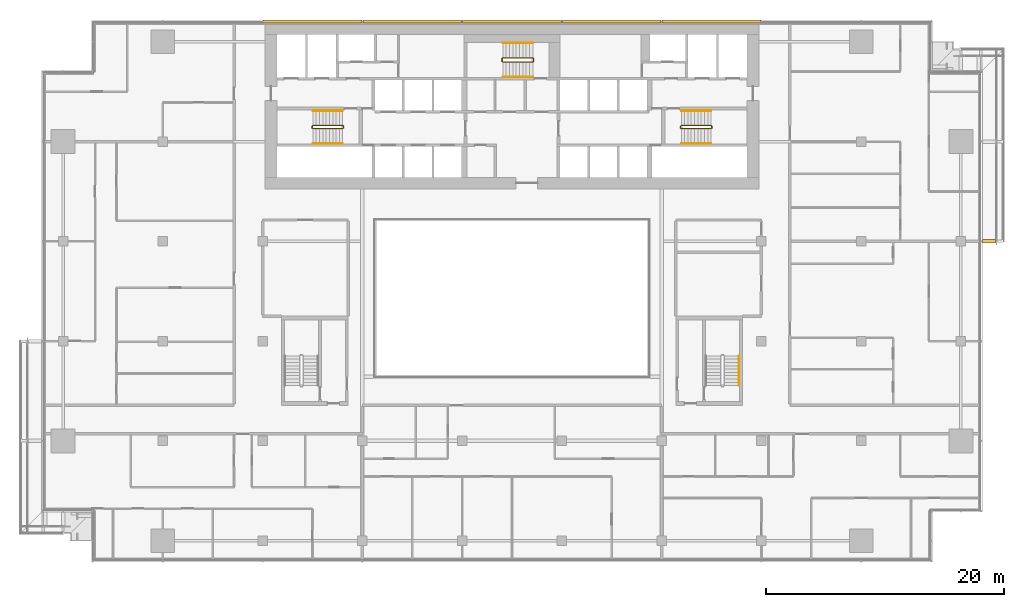
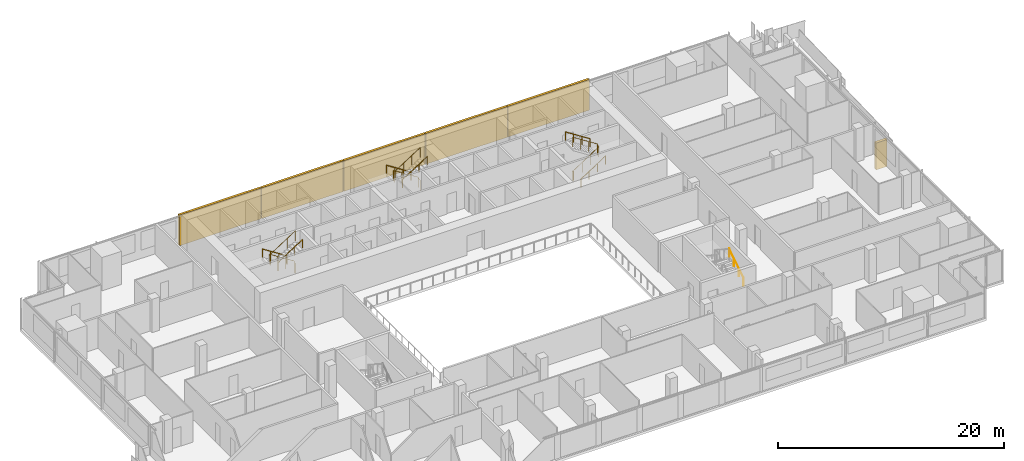
# One storey, part 24 of 27: 10 railings, 6 coverings.
"""IFC4 building model written with IfcOpenShell, lengths in metres."""

import ifcopenshell
import ifcopenshell.guid

model = None  # the IFC model being written
_history = None  # IfcOwnerHistory: only IFC2X3 demands one
_inside = {}  # id of a spatial element -> (the spatial element, [elements in it])
_under = {}  # id of a project, library or spatial element -> (it, [spatial elements below it])
_declared = {}  # id of a project -> (the project, [libraries it declares])
_typed = {}  # id of a type object -> (the type object, [elements of that type])
_made_of = {}  # id of a material, layer set ... -> (it, [elements and type objects made of it])


def new_model(schema):
    """Start an empty IFC model of exactly this schema.

    Asked for "IFC4X3", IfcOpenShell would pick the latest addendum, in which some entities
    have other attributes; the version numbers below select the first issue.
    IFC2X3 requires an IfcOwnerHistory on every rooted entity: one is made here for all.
    """
    global model, _history
    if schema == "IFC4X3":
        model = ifcopenshell.file(schema_version=(4, 3, 0, 0))
    else:
        model = ifcopenshell.file(schema=schema)
    _inside.clear()
    _under.clear()
    _declared.clear()
    _typed.clear()
    _made_of.clear()
    _history = None
    if model.schema == "IFC2X3":
        org = make("IfcOrganization", Name="unknown")
        user = make(
            "IfcPersonAndOrganization",
            ThePerson=make("IfcPerson", FamilyName="unknown"),
            TheOrganization=org,
        )
        app = make(
            "IfcApplication",
            ApplicationDeveloper=org,
            Version="unknown",
            ApplicationFullName="unknown",
            ApplicationIdentifier="unknown",
        )
        _history = make(
            "IfcOwnerHistory",
            OwningUser=user,
            OwningApplication=app,
            ChangeAction="ADDED",
            CreationDate=0,
        )
    return model


def make(cls, **values):
    """One entity of the class cls with the attributes given. An attribute that is None is left unset."""
    return model.create_entity(
        cls, **{name: value for name, value in values.items() if value is not None}
    )


def rooted(cls, **values):
    """An entity with a GlobalId (a new one), such as an element, a storey or a relation."""
    return make(cls, GlobalId=ifcopenshell.guid.new(), OwnerHistory=_history, **values)


def si_unit(unit_type, name, prefix=None):
    """IfcSIUnit, for example si_unit("LENGTHUNIT", "METRE", prefix="MILLI")."""
    return make("IfcSIUnit", UnitType=unit_type, Prefix=prefix, Name=name)


def assignment(units):
    """IfcUnitAssignment: the units of a project."""
    return None if units is None else make("IfcUnitAssignment", Units=units)


def point(xyz):
    """IfcCartesianPoint."""
    return None if xyz is None else make("IfcCartesianPoint", Coordinates=xyz)


def direction(xyz):
    """IfcDirection."""
    return None if xyz is None else make("IfcDirection", DirectionRatios=xyz)


def frame(location, z_axis=None, x_axis=None):
    """IfcAxis2Placement3D, a coordinate frame: its origin and axes. An axis left out is left unset."""
    return make(
        "IfcAxis2Placement3D",
        Location=point(location),
        Axis=direction(z_axis),
        RefDirection=direction(x_axis),
    )


def frame_2d(location, x_axis=None):
    """IfcAxis2Placement2D, a coordinate frame in the plane: its origin and x axis."""
    return make(
        "IfcAxis2Placement2D", Location=point(location), RefDirection=direction(x_axis)
    )


def origin():
    """The frame at (0, 0, 0) with its axes left unset."""
    return frame((0.0, 0.0, 0.0))


def origin_2d():
    """The frame at (0, 0) in the plane with its x axis left unset."""
    return frame_2d((0.0, 0.0))


def place(relative_to, where):
    """IfcLocalPlacement: puts the frame where relative to a parent placement (None: the world)."""
    return make(
        "IfcLocalPlacement", PlacementRelTo=relative_to, RelativePlacement=where
    )


def context(
    kind, dimensions, precision=None, world=None, true_north=None, identifier=None
):
    """IfcGeometricRepresentationContext, for example the 3D "Model" context."""
    return make(
        "IfcGeometricRepresentationContext",
        ContextIdentifier=identifier,
        ContextType=kind,
        CoordinateSpaceDimension=dimensions,
        Precision=precision,
        WorldCoordinateSystem=world,
        TrueNorth=true_north,
    )


def subcontext(parent, identifier, kind, view, scale=None):
    """IfcGeometricRepresentationSubContext, for example "Body" below "Model"."""
    return make(
        "IfcGeometricRepresentationSubContext",
        ContextIdentifier=identifier,
        ContextType=kind,
        ParentContext=parent,
        TargetScale=scale,
        TargetView=view,
    )


def project(units=None, contexts=None):
    """IfcProject with its units and contexts."""
    return rooted(
        "IfcProject",
        Name="project",
        RepresentationContexts=contexts,
        UnitsInContext=assignment(units),
    )


def spatial(cls, under=None, at=None, **own):
    """A site, building, storey or space (cls), placed at a placement, below another one or the project."""
    s = rooted(cls, ObjectPlacement=at, **own)
    if under is not None:
        _under.setdefault(under.id(), (under, []))[1].append(s)
    return s


def polyline(points):
    """IfcPolyline through the points."""
    return make("IfcPolyline", Points=[point(p) for p in points])


def profile(cls, at=None, kind="AREA", **sizes):
    """A parametric profile (cls). Its sizes go by their IFC names, for example OverallWidth=200.0."""
    return make(cls, ProfileType=kind, Position=at, **sizes)


def rectangle(**sizes):
    """IfcRectangleProfileDef."""
    return profile("IfcRectangleProfileDef", **sizes)


def circle(**sizes):
    """IfcCircleProfileDef."""
    return profile("IfcCircleProfileDef", **sizes)


def outline(outer, holes=None, kind="AREA"):
    """IfcArbitraryClosedProfileDef: a profile drawn as a closed curve; with holes, ...WithVoids."""
    if holes is None:
        return make("IfcArbitraryClosedProfileDef", ProfileType=kind, OuterCurve=outer)
    return make(
        "IfcArbitraryProfileDefWithVoids",
        ProfileType=kind,
        OuterCurve=outer,
        InnerCurves=holes,
    )


def extrude(swept, where, along, depth):
    """IfcExtrudedAreaSolid: the profile swept, set in the frame where, extruded along a direction by depth."""
    return make(
        "IfcExtrudedAreaSolid",
        SweptArea=swept,
        Position=where,
        ExtrudedDirection=direction(along),
        Depth=depth,
    )


def shape(context_of_items, identifier, shape_type, items):
    """IfcShapeRepresentation: the items that make up one representation, for example the "Body"."""
    return make(
        "IfcShapeRepresentation",
        ContextOfItems=context_of_items,
        RepresentationIdentifier=identifier,
        RepresentationType=shape_type,
        Items=items,
    )


def material(Name=None, Category=None):
    """IfcMaterial."""
    return make("IfcMaterial", Name=Name, Category=Category)


def layer(
    of_material, thickness, ventilated=None, Name=None, Category=None, Priority=None
):
    """IfcMaterialLayer: one layer of a wall or slab, of a material (None: an air gap)."""
    return make(
        "IfcMaterialLayer",
        Material=of_material,
        LayerThickness=thickness,
        IsVentilated=ventilated,
        Name=Name,
        Category=Category,
        Priority=Priority,
    )


def layer_set(layers, Name=None):
    """IfcMaterialLayerSet."""
    return make("IfcMaterialLayerSet", MaterialLayers=layers, LayerSetName=Name)


def made_of(thing, what):
    """Note that an element or type object is made of a material, layer set ...; save() writes the relation."""
    if what is not None:
        _made_of.setdefault(what.id(), (what, []))[1].append(thing)
    return thing


def type_object(cls, material=None, **own):
    """A type object (cls), such as IfcWallType, which elements share."""
    return made_of(rooted(cls, **own), material)


def element(
    cls,
    number,
    at=None,
    inside=None,
    cuts=None,
    type_object=None,
    material=None,
    context=None,
    identifier="Body",
    shape_type=None,
    held_by="IfcProductDefinitionShape",
    body=None,
    shapes=None,
    **own,
):
    """One element of the class cls, such as IfcWall. Its Tag is "e" and its number.

    at: its placement. inside: the storey or other place that contains it. cuts: it is an
    opening in that element (IfcRelVoidsElement). A single representation is given by context,
    identifier, shape_type and body (its items); several are given by shapes. held_by: the class
    of the entity that holds the representations. save() writes the other relations.
    """
    e = rooted(cls, Tag="e%d" % number, ObjectPlacement=at, **own)
    if body is not None:
        shapes = [shape(context, identifier, shape_type, body)]
    if shapes is not None:
        e.Representation = make(held_by, Representations=shapes)
    if inside is not None:
        _inside.setdefault(inside.id(), (inside, []))[1].append(e)
    if cuts is not None:
        rooted(
            "IfcRelVoidsElement", RelatingBuildingElement=cuts, RelatedOpeningElement=e
        )
    if type_object is not None:
        _typed.setdefault(type_object.id(), (type_object, []))[1].append(e)
    return made_of(e, material)


def aggregate(whole, parts):
    """IfcRelAggregates: a whole, such as a stair, and the parts it consists of."""
    return rooted("IfcRelAggregates", RelatingObject=whole, RelatedObjects=parts)


def save(model, path):
    """Write the relations noted so far, then the file.

    IfcRelAggregates (storeys below a building ...), IfcRelContainedInSpatialStructure (elements
    in a storey), IfcRelDefinesByType, IfcRelAssociatesMaterial and IfcRelDeclares: one each for
    every whole, place, type object, material and project.
    """
    for whole, parts in _under.values():
        aggregate(whole, parts)
    for where, things in _inside.values():
        rooted(
            "IfcRelContainedInSpatialStructure",
            RelatedElements=things,
            RelatingStructure=where,
        )
    for kind, things in _typed.values():
        rooted("IfcRelDefinesByType", RelatedObjects=things, RelatingType=kind)
    for what, things in _made_of.values():
        rooted("IfcRelAssociatesMaterial", RelatedObjects=things, RelatingMaterial=what)
    for by, libraries in _declared.values():
        rooted("IfcRelDeclares", RelatingContext=by, RelatedDefinitions=libraries)
    model.write(path)


model = new_model("IFC4")

# Units and contexts
model_context = context("Model", 3, precision=1e-05, world=origin(), true_north=direction((0.0, 1.0)))
body_context = subcontext(model_context, "Body", "Model", "MODEL_VIEW")
ifc_project = project(units=[si_unit("LENGTHUNIT", "METRE"), si_unit("AREAUNIT", "SQUARE_METRE"), si_unit("VOLUMEUNIT", "CUBIC_METRE"), si_unit("PLANEANGLEUNIT", "RADIAN"), si_unit("MASSUNIT", "GRAM", prefix="KILO")], contexts=[model_context])

# Site, building, storey
site_placement = place(None, origin())
site = spatial("IfcSite", under=ifc_project, at=site_placement, CompositionType="ELEMENT")
building_placement = place(site_placement, origin())
building = spatial("IfcBuilding", under=site, at=building_placement, Name="Saffron Gate Tower", CompositionType="ELEMENT")
storey_placement = place(building_placement, frame((0.0, 0.0, 134.85009765625)))
storey = spatial("IfcBuildingStorey", under=building, at=storey_placement, Name="L32", CompositionType="ELEMENT", Elevation=134.85009765625)

# Coverings
ifc_material_1 = material(Name="Ceramic-printed bronze insulated panel")
ifc_layer_1 = layer(ifc_material_1, 0.239990234375)
ifc_layer_set_1 = layer_set([ifc_layer_1], Name="CLD2 ceramic-printed cladding panel 240")
covering_type_1 = type_object("IfcCoveringType", Name="CLD2 ceramic-printed cladding panel 240", PredefinedType="CLADDING", material=ifc_layer_set_1)
covering_1_placement = place(storey_placement, origin())
element("IfcCovering", 1, at=covering_1_placement, inside=storey, type_object=covering_type_1, Name="CLADDING ceramic-printed panel", PredefinedType="CLADDING", context=body_context, shape_type="SweptSolid", body=[
    extrude(outline(polyline([(108.56494140625, 75.639892578125), (100.235107421875, 75.639892578125), (100.235107421875, 75.39990234375), (108.56494140625, 75.39990234375), (108.56494140625, 75.639892578125)])), origin(), (0.0, 0.0, 1.0), 3.31982421875),
])
covering_2_placement = place(storey_placement, origin())
element("IfcCovering", 2, at=covering_2_placement, inside=storey, type_object=covering_type_1, Name="CLADDING ceramic-printed panel", PredefinedType="CLADDING", context=body_context, shape_type="SweptSolid", body=[
    extrude(outline(polyline([(100.1650390625, 75.639892578125), (91.8349609375, 75.639892578125), (91.8349609375, 75.39990234375), (100.1650390625, 75.39990234375), (100.1650390625, 75.639892578125)])), origin(), (0.0, 0.0, 1.0), 3.31982421875),
])
covering_3_placement = place(storey_placement, origin())
element("IfcCovering", 3, at=covering_3_placement, inside=storey, type_object=covering_type_1, Name="CLADDING ceramic-printed panel", PredefinedType="CLADDING", context=body_context, shape_type="SweptSolid", body=[
    extrude(outline(polyline([(91.764892578125, 75.639892578125), (83.43505859375, 75.639892578125), (83.43505859375, 75.39990234375), (91.764892578125, 75.39990234375), (91.764892578125, 75.639892578125)])), origin(), (0.0, 0.0, 1.0), 3.31982421875),
])
covering_4_placement = place(storey_placement, origin())
element("IfcCovering", 4, at=covering_4_placement, inside=storey, type_object=covering_type_1, Name="CLADDING ceramic-printed panel", PredefinedType="CLADDING", context=body_context, shape_type="SweptSolid", body=[
    extrude(outline(polyline([(83.364990234375, 75.639892578125), (75.034912109375, 75.639892578125), (75.034912109375, 75.39990234375), (83.364990234375, 75.39990234375), (83.364990234375, 75.639892578125)])), origin(), (0.0, 0.0, 1.0), 3.31982421875),
])
covering_5_placement = place(storey_placement, origin())
element("IfcCovering", 5, at=covering_5_placement, inside=storey, type_object=covering_type_1, Name="CLADDING ceramic-printed panel", PredefinedType="CLADDING", context=body_context, shape_type="SweptSolid", body=[
    extrude(outline(polyline([(74.965087890625, 75.639892578125), (66.635009765625, 75.639892578125), (66.635009765625, 75.39990234375), (74.965087890625, 75.39990234375), (74.965087890625, 75.639892578125)])), origin(), (0.0, 0.0, 1.0), 3.31982421875),
])

# Railings
ifc_material_2 = material(Name="Stainless steel and laminated glass", Category="steel")
railing_type_1 = type_object("IfcRailingType", Name="CR1 Stair guard 1100", PredefinedType="GUARDRAIL", material=ifc_material_2)
railing_1_placement = place(storey_placement, frame((73.39990234375, 66.550048828125, 0.0)))
element("IfcRailing", 6, at=railing_1_placement, inside=storey, type_object=railing_type_1, Name="L32 ST-A stair guard 1", PredefinedType="GUARDRAIL", context=body_context, shape_type="SweptSolid", body=[
    extrude(circle(Radius=0.02392578125, at=origin_2d()), frame((0.0, 0.0, 1.076171875), z_axis=(0.0, 1.0, 0.0), x_axis=(-1.0, 0.0, 0.0)), (0.0, 0.0, 1.0), 0.14990234375),
    extrude(circle(Radius=0.02392578125, at=origin_2d()), frame((0.0, 0.14990234375, 1.076171875), z_axis=(-0.257669022063, 0.258932105505, 0.930892496375), x_axis=(-0.708833529934, -0.705375805398, 0.0)), (0.0, 0.0, 1.0), 0.193359375),
    extrude(circle(Radius=0.02392578125, at=origin_2d()), frame((-0.0498046875, 0.199951171875, 1.255859375), z_axis=(-0.841199657755, 0.0, 0.540724639528), x_axis=(0.0, -1.0, 0.0)), (0.0, 0.0, 1.0), 2.995849609375),
    extrude(circle(Radius=0.02392578125, at=origin_2d()), frame((-2.56982421875, 0.199951171875, 2.8759765625), z_axis=(-0.707106781187, -0.707106781187, 0.0), x_axis=(0.707106781187, -0.707106781187, 0.0)), (0.0, 0.0, 1.0), 0.07080078125),
    extrude(circle(Radius=0.02392578125, at=origin_2d()), frame((-2.619873046875, 0.14990234375, 2.8759765625), z_axis=(0.0, -1.0, 0.0), x_axis=(1.0, 0.0, 0.0)), (0.0, 0.0, 1.0), 0.14990234375),
    extrude(circle(Radius=0.02392578125, at=origin_2d()), frame((-2.619873046875, 0.0, 2.8759765625), z_axis=(0.258543844998, -0.258543844998, 0.930757841991), x_axis=(0.707106781187, 0.707106781187, 0.0)), (0.0, 0.0, 1.0), 0.193603515625),
    extrude(circle(Radius=0.02392578125, at=origin_2d()), frame((-2.56982421875, -0.050048828125, 3.05615234375), z_axis=(0.841199657755, 0.0, 0.540724639528), x_axis=(0.0, 1.0, 0.0)), (0.0, 0.0, 1.0), 2.995849609375),
    extrude(circle(Radius=0.02099609375, at=origin_2d()), origin(), (0.0, 0.0, 1.0), 1.052001953125),
    extrude(circle(Radius=0.02099609375, at=origin_2d()), frame((0.0, 0.14990234375, 0.0)), (0.0, 0.0, 1.0), 1.052001953125),
    extrude(circle(Radius=0.02099609375, at=origin_2d()), frame((-0.0498046875, 0.199951171875, 0.179931640625)), (0.0, 0.0, 1.0), 1.052001953125),
    extrude(circle(Radius=0.02099609375, at=origin_2d()), frame((-0.889892578125, 0.199951171875, 0.719970703125)), (0.0, 0.0, 1.0), 1.052001953125),
    extrude(circle(Radius=0.02099609375, at=origin_2d()), frame((-1.729736328125, 0.199951171875, 1.259765625)), (0.0, 0.0, 1.0), 1.052001953125),
    extrude(circle(Radius=0.02099609375, at=origin_2d()), frame((-2.56982421875, 0.199951171875, 1.7998046875)), (0.0, 0.0, 1.0), 1.052001953125),
    extrude(circle(Radius=0.02099609375, at=origin_2d()), frame((-2.619873046875, 0.14990234375, 1.7998046875)), (0.0, 0.0, 1.0), 1.052001953125),
    extrude(circle(Radius=0.02099609375, at=origin_2d()), frame((-2.619873046875, 0.0, 1.7998046875)), (0.0, 0.0, 1.0), 1.052001953125),
    extrude(circle(Radius=0.02099609375, at=origin_2d()), frame((-2.56982421875, -0.050048828125, 1.97998046875)), (0.0, 0.0, 1.0), 1.052001953125),
    extrude(circle(Radius=0.02099609375, at=origin_2d()), frame((-1.729736328125, -0.050048828125, 2.52001953125)), (0.0, 0.0, 1.0), 1.052001953125),
    extrude(circle(Radius=0.02099609375, at=origin_2d()), frame((-0.889892578125, -0.050048828125, 3.059814453125)), (0.0, 0.0, 1.0), 1.052001953125),
    extrude(circle(Radius=0.02099609375, at=origin_2d()), frame((-0.0498046875, -0.050048828125, 3.599853515625)), (0.0, 0.0, 1.0), 1.052001953125),
])
railing_2_placement = place(storey_placement, frame((101.800048828125, 66.699951171875, 0.0)))
element("IfcRailing", 7, at=railing_2_placement, inside=storey, type_object=railing_type_1, Name="L32 ST-B stair guard 1", PredefinedType="GUARDRAIL", context=body_context, shape_type="SweptSolid", body=[
    extrude(circle(Radius=0.02392578125, at=origin_2d()), frame((0.0, 0.0, 1.076171875), z_axis=(0.0, -1.0, 0.0), x_axis=(1.0, 0.0, 0.0)), (0.0, 0.0, 1.0), 0.14990234375),
    extrude(circle(Radius=0.02392578125, at=origin_2d()), frame((0.0, -0.14990234375, 1.076171875), z_axis=(0.258847668887, -0.258847668887, 0.930588936439), x_axis=(0.707106781187, 0.707106781187, 0.0)), (0.0, 0.0, 1.0), 0.193359375),
    extrude(circle(Radius=0.02392578125, at=origin_2d()), frame((0.050048828125, -0.199951171875, 1.255859375), z_axis=(0.841199657755, 0.0, 0.540724639528), x_axis=(0.0, 1.0, 0.0)), (0.0, 0.0, 1.0), 2.995849609375),
    extrude(circle(Radius=0.02392578125, at=origin_2d()), frame((2.570068359375, -0.199951171875, 2.8759765625), z_axis=(0.705375805398, 0.708833529934, 0.0), x_axis=(-0.708833529934, 0.705375805398, 0.0)), (0.0, 0.0, 1.0), 0.070556640625),
    extrude(circle(Radius=0.02392578125, at=origin_2d()), frame((2.619873046875, -0.14990234375, 2.8759765625), z_axis=(0.0, 1.0, 0.0), x_axis=(-1.0, 0.0, 0.0)), (0.0, 0.0, 1.0), 0.14990234375),
    extrude(circle(Radius=0.02392578125, at=origin_2d()), frame((2.619873046875, 0.0, 2.8759765625), z_axis=(-0.257366384619, 0.258627984543, 0.931060744355), x_axis=(-0.708833529934, -0.705375805398, 0.0)), (0.0, 0.0, 1.0), 0.193603515625),
    extrude(circle(Radius=0.02392578125, at=origin_2d()), frame((2.570068359375, 0.050048828125, 3.05615234375), z_axis=(-0.841199657755, 0.0, 0.540724639528), x_axis=(0.0, -1.0, 0.0)), (0.0, 0.0, 1.0), 2.995849609375),
    extrude(circle(Radius=0.02099609375, at=origin_2d()), origin(), (0.0, 0.0, 1.0), 1.052001953125),
    extrude(circle(Radius=0.02099609375, at=origin_2d()), frame((0.0, -0.14990234375, 0.0)), (0.0, 0.0, 1.0), 1.052001953125),
    extrude(circle(Radius=0.02099609375, at=origin_2d()), frame((0.050048828125, -0.199951171875, 0.179931640625)), (0.0, 0.0, 1.0), 1.052001953125),
    extrude(circle(Radius=0.02099609375, at=origin_2d()), frame((0.89013671875, -0.199951171875, 0.719970703125)), (0.0, 0.0, 1.0), 1.052001953125),
    extrude(circle(Radius=0.02099609375, at=origin_2d()), frame((1.72998046875, -0.199951171875, 1.259765625)), (0.0, 0.0, 1.0), 1.052001953125),
    extrude(circle(Radius=0.02099609375, at=origin_2d()), frame((2.570068359375, -0.199951171875, 1.7998046875)), (0.0, 0.0, 1.0), 1.052001953125),
    extrude(circle(Radius=0.02099609375, at=origin_2d()), frame((2.619873046875, -0.14990234375, 1.7998046875)), (0.0, 0.0, 1.0), 1.052001953125),
    extrude(circle(Radius=0.02099609375, at=origin_2d()), frame((2.619873046875, 0.0, 1.7998046875)), (0.0, 0.0, 1.0), 1.052001953125),
    extrude(circle(Radius=0.02099609375, at=origin_2d()), frame((2.570068359375, 0.050048828125, 1.97998046875)), (0.0, 0.0, 1.0), 1.052001953125),
    extrude(circle(Radius=0.02099609375, at=origin_2d()), frame((1.72998046875, 0.050048828125, 2.52001953125)), (0.0, 0.0, 1.0), 1.052001953125),
    extrude(circle(Radius=0.02099609375, at=origin_2d()), frame((0.89013671875, 0.050048828125, 3.059814453125)), (0.0, 0.0, 1.0), 1.052001953125),
    extrude(circle(Radius=0.02099609375, at=origin_2d()), frame((0.050048828125, 0.050048828125, 3.599853515625)), (0.0, 0.0, 1.0), 1.052001953125),
])
railing_3_placement = place(storey_placement, frame((89.39990234375, 72.14990234375, 0.0)))
element("IfcRailing", 8, at=railing_3_placement, inside=storey, type_object=railing_type_1, Name="L32 ST-C stair guard 1", PredefinedType="GUARDRAIL", context=body_context, shape_type="SweptSolid", body=[
    extrude(circle(Radius=0.02392578125, at=origin_2d()), frame((0.0, 0.0, 1.076171875), z_axis=(0.0, 1.0, 0.0), x_axis=(-1.0, 0.0, 0.0)), (0.0, 0.0, 1.0), 0.25),
    extrude(circle(Radius=0.02392578125, at=origin_2d()), frame((0.0, 0.25, 1.076171875), z_axis=(-0.257669022063, 0.258932105505, 0.930892496375), x_axis=(-0.708833529934, -0.705375805398, 0.0)), (0.0, 0.0, 1.0), 0.193359375),
    extrude(circle(Radius=0.02392578125, at=origin_2d()), frame((-0.0498046875, 0.300048828125, 1.255859375), z_axis=(-0.841199657755, 0.0, 0.540724639528), x_axis=(0.0, -1.0, 0.0)), (0.0, 0.0, 1.0), 2.995849609375),
    extrude(circle(Radius=0.02392578125, at=origin_2d()), frame((-2.56982421875, 0.300048828125, 2.8759765625), z_axis=(-0.707106781187, -0.707106781187, 0.0), x_axis=(0.707106781187, -0.707106781187, 0.0)), (0.0, 0.0, 1.0), 0.07080078125),
    extrude(circle(Radius=0.02392578125, at=origin_2d()), frame((-2.619873046875, 0.25, 2.8759765625), z_axis=(0.0, -1.0, 0.0), x_axis=(1.0, 0.0, 0.0)), (0.0, 0.0, 1.0), 0.25),
    extrude(circle(Radius=0.02392578125, at=origin_2d()), frame((-2.619873046875, 0.0, 2.8759765625), z_axis=(0.258627984543, -0.257366384619, 0.931060744355), x_axis=(0.705375805398, 0.708833529934, 0.0)), (0.0, 0.0, 1.0), 0.193603515625),
    extrude(circle(Radius=0.02392578125, at=origin_2d()), frame((-2.56982421875, -0.0498046875, 3.05615234375), z_axis=(0.841199657755, 0.0, 0.540724639528), x_axis=(0.0, 1.0, 0.0)), (0.0, 0.0, 1.0), 2.995849609375),
    extrude(circle(Radius=0.02099609375, at=origin_2d()), origin(), (0.0, 0.0, 1.0), 1.052001953125),
    extrude(circle(Radius=0.02099609375, at=origin_2d()), frame((0.0, 0.25, 0.0)), (0.0, 0.0, 1.0), 1.052001953125),
    extrude(circle(Radius=0.02099609375, at=origin_2d()), frame((-0.0498046875, 0.300048828125, 0.179931640625)), (0.0, 0.0, 1.0), 1.052001953125),
    extrude(circle(Radius=0.02099609375, at=origin_2d()), frame((-0.889892578125, 0.300048828125, 0.719970703125)), (0.0, 0.0, 1.0), 1.052001953125),
    extrude(circle(Radius=0.02099609375, at=origin_2d()), frame((-1.729736328125, 0.300048828125, 1.259765625)), (0.0, 0.0, 1.0), 1.052001953125),
    extrude(circle(Radius=0.02099609375, at=origin_2d()), frame((-2.56982421875, 0.300048828125, 1.7998046875)), (0.0, 0.0, 1.0), 1.052001953125),
    extrude(circle(Radius=0.02099609375, at=origin_2d()), frame((-2.619873046875, 0.25, 1.7998046875)), (0.0, 0.0, 1.0), 1.052001953125),
    extrude(circle(Radius=0.02099609375, at=origin_2d()), frame((-2.619873046875, 0.0, 1.7998046875)), (0.0, 0.0, 1.0), 1.052001953125),
    extrude(circle(Radius=0.02099609375, at=origin_2d()), frame((-2.56982421875, -0.0498046875, 1.97998046875)), (0.0, 0.0, 1.0), 1.052001953125),
    extrude(circle(Radius=0.02099609375, at=origin_2d()), frame((-1.729736328125, -0.0498046875, 2.52001953125)), (0.0, 0.0, 1.0), 1.052001953125),
    extrude(circle(Radius=0.02099609375, at=origin_2d()), frame((-0.889892578125, -0.0498046875, 3.059814453125)), (0.0, 0.0, 1.0), 1.052001953125),
    extrude(circle(Radius=0.02099609375, at=origin_2d()), frame((-0.0498046875, -0.0498046875, 3.599853515625)), (0.0, 0.0, 1.0), 1.052001953125),
])
ifc_material_3 = material(Name="Stainless steel", Category="steel")
railing_type_2 = type_object("IfcRailingType", Name="CR2 Stair handrail 900", PredefinedType="HANDRAIL", material=ifc_material_3)
railing_4_placement = place(storey_placement, frame((73.35009765625, 68.0, 0.179931640625)))
element("IfcRailing", 9, at=railing_4_placement, inside=storey, type_object=railing_type_2, Name="L32 ST-A stair handrail 1", PredefinedType="HANDRAIL", context=body_context, shape_type="SweptSolid", body=[
    extrude(circle(Radius=0.02392578125, at=origin_2d()), frame((0.0, 0.0, 0.8759765625), z_axis=(-0.841199657755, 0.0, 0.540724639528), x_axis=(0.0, -1.0, 0.0)), (0.0, 0.0, 1.0), 2.995849609375),
    extrude(circle(Radius=0.02099609375, at=origin_2d()), origin(), (0.0, 0.0, 1.0), 0.851806640625),
    extrude(circle(Radius=0.02099609375, at=origin_2d()), frame((-0.840087890625, 0.0, 0.5400390625)), (0.0, 0.0, 1.0), 0.851806640625),
    extrude(circle(Radius=0.02099609375, at=origin_2d()), frame((-1.679931640625, 0.0, 1.079833984375)), (0.0, 0.0, 1.0), 0.851806640625),
    extrude(circle(Radius=0.02099609375, at=origin_2d()), frame((-2.52001953125, 0.0, 1.619873046875)), (0.0, 0.0, 1.0), 0.851806640625),
])
for number, where, name in (
    (10, (70.830078125, 65.25, 1.97998046875), "L32 ST-A stair handrail 2"),
    (11, (101.85009765625, 65.25, 0.179931640625), "L32 ST-B stair handrail 1"),
):
    element("IfcRailing", number, at=place(storey_placement, frame(where)), inside=storey, type_object=railing_type_2, Name=name, PredefinedType="HANDRAIL", context=body_context, shape_type="SweptSolid", body=[
        extrude(circle(Radius=0.02392578125, at=origin_2d()), frame((0.0, 0.0, 0.8759765625), z_axis=(0.841199657755, 0.0, 0.540724639528), x_axis=(0.0, 1.0, 0.0)), (0.0, 0.0, 1.0), 2.995849609375),
        extrude(circle(Radius=0.02099609375, at=origin_2d()), origin(), (0.0, 0.0, 1.0), 0.851806640625),
        extrude(circle(Radius=0.02099609375, at=origin_2d()), frame((0.840087890625, 0.0, 0.5400390625)), (0.0, 0.0, 1.0), 0.851806640625),
        extrude(circle(Radius=0.02099609375, at=origin_2d()), frame((1.679931640625, 0.0, 1.079833984375)), (0.0, 0.0, 1.0), 0.851806640625),
        extrude(circle(Radius=0.02099609375, at=origin_2d()), frame((2.52001953125, 0.0, 1.619873046875)), (0.0, 0.0, 1.0), 0.851806640625),
    ])
for number, where, name in (
    (12, (104.3701171875, 68.0, 1.97998046875), "L32 ST-B stair handrail 2"),
    (13, (89.35009765625, 73.699951171875, 0.179931640625), "L32 ST-C stair handrail 1"),
):
    element("IfcRailing", number, at=place(storey_placement, frame(where)), inside=storey, type_object=railing_type_2, Name=name, PredefinedType="HANDRAIL", context=body_context, shape_type="SweptSolid", body=[
        extrude(circle(Radius=0.02392578125, at=origin_2d()), frame((0.0, 0.0, 0.8759765625), z_axis=(-0.841199657755, 0.0, 0.540724639528), x_axis=(0.0, -1.0, 0.0)), (0.0, 0.0, 1.0), 2.995849609375),
        extrude(circle(Radius=0.02099609375, at=origin_2d()), origin(), (0.0, 0.0, 1.0), 0.851806640625),
        extrude(circle(Radius=0.02099609375, at=origin_2d()), frame((-0.840087890625, 0.0, 0.5400390625)), (0.0, 0.0, 1.0), 0.851806640625),
        extrude(circle(Radius=0.02099609375, at=origin_2d()), frame((-1.679931640625, 0.0, 1.079833984375)), (0.0, 0.0, 1.0), 0.851806640625),
        extrude(circle(Radius=0.02099609375, at=origin_2d()), frame((-2.52001953125, 0.0, 1.619873046875)), (0.0, 0.0, 1.0), 0.851806640625),
    ])
railing_5_placement = place(storey_placement, frame((86.830078125, 70.85009765625, 1.97998046875)))
element("IfcRailing", 14, at=railing_5_placement, inside=storey, type_object=railing_type_2, Name="L32 ST-C stair handrail 2", PredefinedType="HANDRAIL", context=body_context, shape_type="SweptSolid", body=[
    extrude(circle(Radius=0.02392578125, at=origin_2d()), frame((0.0, 0.0, 0.8759765625), z_axis=(0.841199657755, 0.0, 0.540724639528), x_axis=(0.0, 1.0, 0.0)), (0.0, 0.0, 1.0), 2.995849609375),
    extrude(circle(Radius=0.02099609375, at=origin_2d()), origin(), (0.0, 0.0, 1.0), 0.851806640625),
    extrude(circle(Radius=0.02099609375, at=origin_2d()), frame((0.840087890625, 0.0, 0.5400390625)), (0.0, 0.0, 1.0), 0.851806640625),
    extrude(circle(Radius=0.02099609375, at=origin_2d()), frame((1.679931640625, 0.0, 1.079833984375)), (0.0, 0.0, 1.0), 0.851806640625),
    extrude(circle(Radius=0.02099609375, at=origin_2d()), frame((2.52001953125, 0.0, 1.619873046875)), (0.0, 0.0, 1.0), 0.851806640625),
])
railing_6_placement = place(storey_placement, frame((106.699951171875, 44.85009765625, 0.179931640625)))
element("IfcRailing", 15, at=railing_6_placement, inside=storey, type_object=railing_type_2, Name="L32 ST-E stair handrail 1", PredefinedType="HANDRAIL", context=body_context, shape_type="SweptSolid", body=[
    extrude(circle(Radius=0.02392578125, at=origin_2d()), frame((0.0, 0.0, 0.8759765625), z_axis=(0.0, 0.841199657755, 0.540724639528), x_axis=(-1.0, 0.0, 0.0)), (0.0, 0.0, 1.0), 2.995849609375),
    extrude(circle(Radius=0.02099609375, at=origin_2d()), origin(), (0.0, 0.0, 1.0), 0.851806640625),
    extrude(circle(Radius=0.02099609375, at=origin_2d()), frame((0.0, 0.840087890625, 0.5400390625)), (0.0, 0.0, 1.0), 0.851806640625),
    extrude(circle(Radius=0.02099609375, at=origin_2d()), frame((0.0, 1.679931640625, 1.079833984375)), (0.0, 0.0, 1.0), 0.851806640625),
    extrude(circle(Radius=0.02099609375, at=origin_2d()), frame((0.0, 2.52001953125, 1.619873046875)), (0.0, 0.0, 1.0), 0.851806640625),
])

# Covering
ifc_material_4 = material(Name="Timber, thermally modified ash", Category="wood")
ifc_layer_2 = layer(ifc_material_4, 0.300048828125)
ifc_layer_set_2 = layer_set([ifc_layer_2], Name="LD3 ledge riser fin")
covering_type_2 = type_object("IfcCoveringType", Name="LD3 ledge riser fin", PredefinedType="CLADDING", material=ifc_layer_set_2)
covering_6_placement = place(storey_placement, frame((127.760009765625, 57.0, -1.75732421875), z_axis=(0.0, 0.0, 1.0), x_axis=(0.0, 1.0, 0.0)))
element("IfcCovering", 16, at=covering_6_placement, inside=storey, type_object=covering_type_2, Name="LEDGE riser fin", PredefinedType="CLADDING", context=body_context, shape_type="SweptSolid", body=[
    extrude(rectangle(XDim=0.300048828125, YDim=1.1201171875, at=origin_2d()), origin(), (0.0, 0.0, 1.0), 2.900390625),
])

save(model, "model.ifc")
